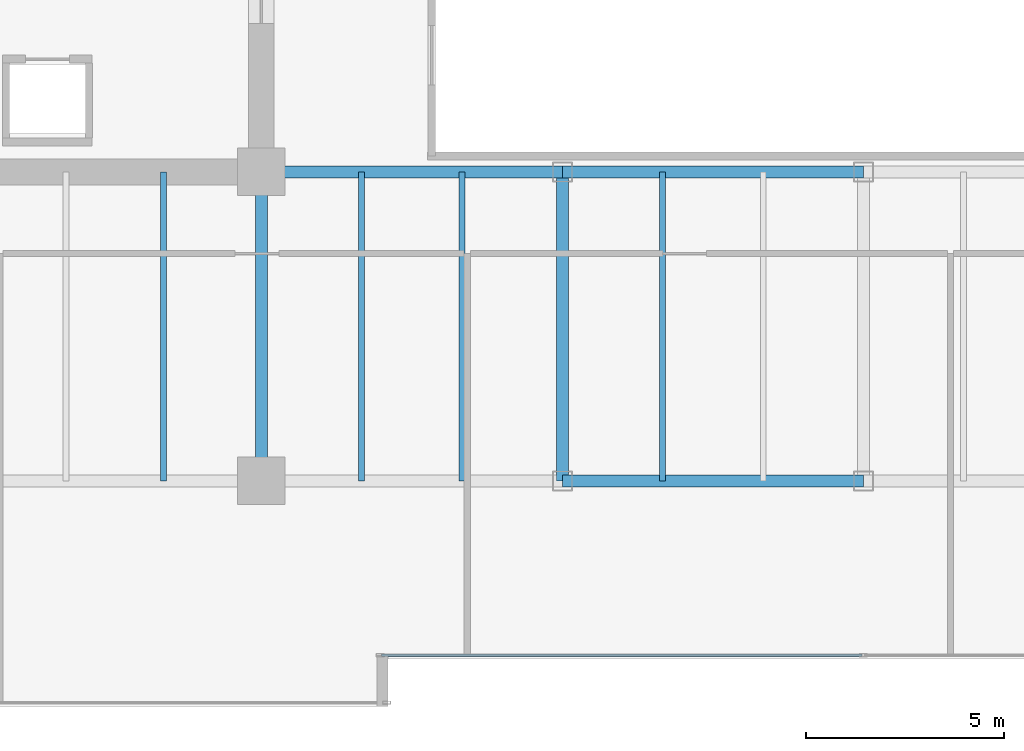
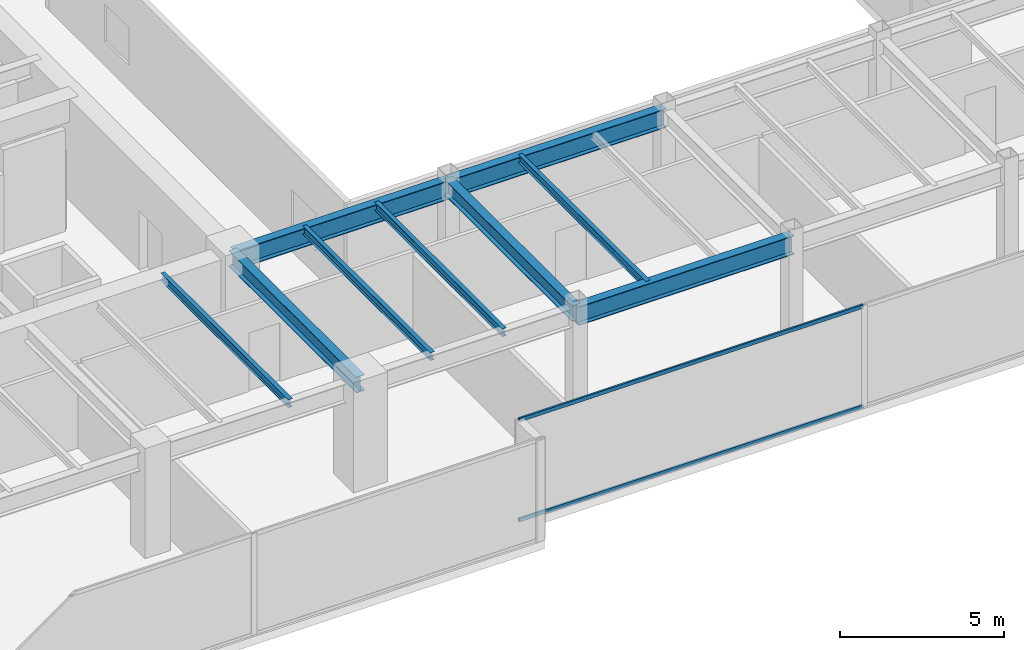
# One storey, part 5 of 30: 9 beams, 2 members, 1 element without a shape of its own.
"""IFC4 building model written with IfcOpenShell, lengths in metres."""

from ifc_helpers import new_model, si_unit, direction, frame, origin, origin_2d, place, context, subcontext, project, spatial, hollow_rectangle, i_section, extrude, source, transform, mapped, material, layer, layer_set, material_profile, profile_set, type_object, type_shapes, element, aggregate, save


model = new_model("IFC4")

# Units and contexts
model_context = context("Model", 3, precision=1e-05, world=origin(), true_north=direction((0.0, 1.0)))
body_context = subcontext(model_context, "Body", "Model", "MODEL_VIEW")
ifc_project = project(units=[si_unit("LENGTHUNIT", "METRE"), si_unit("AREAUNIT", "SQUARE_METRE"), si_unit("VOLUMEUNIT", "CUBIC_METRE"), si_unit("PLANEANGLEUNIT", "RADIAN"), si_unit("MASSUNIT", "GRAM", prefix="KILO")], contexts=[model_context])

# Site, building, storey
site_placement = place(None, origin())
site = spatial("IfcSite", under=ifc_project, at=site_placement, CompositionType="ELEMENT")
building_placement = place(site_placement, origin())
building = spatial("IfcBuilding", under=site, at=building_placement, Name="Haelvirn Gate Laboratories", CompositionType="ELEMENT")
storey_placement = place(building_placement, frame((0.0, 0.0, 183.0)))
storey = spatial("IfcBuildingStorey", under=building, at=storey_placement, Name="L44", CompositionType="ELEMENT", Elevation=183.0)

# Beams
ifc_material_1 = material(Name="Steel SM355", Category="steel")
ifc_material_profile_1 = material_profile(ifc_material_1, i_section(OverallWidth=0.300048828125, OverallDepth=0.699951171875, WebThickness=0.012939453125, FlangeThickness=0.02392578125, at=origin_2d()), Name="H-700x300x13x24")
ifc_profile_set_1 = profile_set([ifc_material_profile_1], Name="Steel SM355")
beam_type_1 = type_object("IfcBeamType", Name="BM-G-700", PredefinedType="BEAM", material=ifc_profile_set_1)
shared_shape_1 = source(origin(), body_context, "Body", "SweptSolid", [
    extrude(i_section(OverallWidth=0.300048828125, OverallDepth=0.699951171875, WebThickness=0.012939453125, FlangeThickness=0.02392578125, at=origin_2d()), origin(), (0.0, 0.0, 1.0), 7.60009765625),
])
beam_placement = place(storey_placement, frame((22.199951171875, 14.800048828125, 3.43994140625), z_axis=(1.0, 0.0, 0.0), x_axis=(0.0, 1.0, 0.0)))
element("IfcBeam", 1, at=beam_placement, inside=storey, type_object=beam_type_1, Name="L44 Primary Girder Y14.8 (22.2-29.8)", PredefinedType="BEAM", context=body_context, shape_type="MappedRepresentation", body=[
    mapped(shared_shape_1, transform((0.0, 0.0, 0.0), scale=1.0)),
])
shared_shape_2 = source(origin(), body_context, "Body", "SweptSolid", [
    extrude(i_section(OverallWidth=0.300048828125, OverallDepth=0.699951171875, WebThickness=0.012939453125, FlangeThickness=0.02392578125, at=origin_2d()), origin(), (0.0, 0.0, 1.0), 7.599853515625),
])
type_shapes(beam_type_1, [shared_shape_1, shared_shape_2])
for number, where, z_axis, x_axis, name in (
    (2, (29.800048828125, 7.0, 3.43994140625), (1.0, 0.0, 0.0), (0.0, 1.0, 0.0), "L44 Primary Girder Y7.0 (29.8-37.4)"),
    (3, (29.800048828125, 14.800048828125, 3.43994140625), (1.0, 0.0, 0.0), (0.0, 1.0, 0.0), "L44 Primary Girder Y14.8 (29.8-37.4)"),
):
    element("IfcBeam", number, at=place(storey_placement, frame(where, z_axis=z_axis, x_axis=x_axis)), inside=storey, type_object=beam_type_1, Name=name, PredefinedType="BEAM", context=body_context, shape_type="MappedRepresentation", body=[
        mapped(shared_shape_2, transform((0.0, 0.0, 0.0), scale=1.0)),
    ])
ifc_material_profile_2 = material_profile(ifc_material_1, i_section(OverallWidth=0.14990234375, OverallDepth=0.300048828125, WebThickness=0.006591796875, FlangeThickness=0.009033203125, at=origin_2d()), Name="H-300x150x6.5x9")
ifc_profile_set_2 = profile_set([ifc_material_profile_2], Name="Steel SM355")
beam_type_2 = type_object("IfcBeamType", Name="BM-J-300", PredefinedType="JOIST", material=ifc_profile_set_2)
shared_shape_3 = source(origin(), body_context, "Body", "SweptSolid", [
    extrude(i_section(OverallWidth=0.14990234375, OverallDepth=0.300048828125, WebThickness=0.006591796875, FlangeThickness=0.009033203125, at=origin_2d()), origin(), (0.0, 0.0, 1.0), 7.800048828125),
])
type_shapes(beam_type_2, [shared_shape_3])
for number, where, z_axis, x_axis, name in (
    (4, (19.72998046875, 7.0, 3.639892578125), (0.0, 1.0, 0.0), (-1.0, 0.0, 0.0), "L44 Composite Lab Joist South X19.73"),
    (5, (24.72998046875, 7.0, 3.639892578125), (0.0, 1.0, 0.0), (-1.0, 0.0, 0.0), "L44 Composite Lab Joist South X24.73"),
    (6, (27.27001953125, 7.0, 3.639892578125), (0.0, 1.0, 0.0), (-1.0, 0.0, 0.0), "L44 Composite Lab Joist South X27.27"),
    (7, (32.330078125, 7.0, 3.639892578125), (0.0, 1.0, 0.0), (-1.0, 0.0, 0.0), "L44 Composite Lab Joist South X32.33"),
):
    element("IfcBeam", number, at=place(storey_placement, frame(where, z_axis=z_axis, x_axis=x_axis)), inside=storey, type_object=beam_type_2, Name=name, PredefinedType="JOIST", context=body_context, shape_type="MappedRepresentation", body=[
        mapped(shared_shape_3, transform((0.0, 0.0, 0.0), scale=1.0)),
    ])
ifc_material_profile_3 = material_profile(ifc_material_1, i_section(OverallWidth=0.300048828125, OverallDepth=0.587890625, WebThickness=0.011962890625, FlangeThickness=0.02001953125, at=origin_2d()), Name="H-588x300x12x20")
ifc_profile_set_3 = profile_set([ifc_material_profile_3], Name="Steel SM355")
beam_type_3 = type_object("IfcBeamType", Name="BM-G-588", PredefinedType="BEAM", material=ifc_profile_set_3)
shared_shape_4 = source(origin(), body_context, "Body", "SweptSolid", [
    extrude(i_section(OverallWidth=0.300048828125, OverallDepth=0.587890625, WebThickness=0.011962890625, FlangeThickness=0.02001953125, at=origin_2d()), origin(), (0.0, 0.0, 1.0), 7.800048828125),
])
type_shapes(beam_type_3, [shared_shape_4])
for number, where, z_axis, x_axis, name in (
    (8, (22.199951171875, 7.0, 3.49609375), (0.0, 1.0, 0.0), (-1.0, 0.0, 0.0), "L44 Frame Girder X22.2 (7.0-14.8)"),
    (9, (29.800048828125, 7.0, 3.49609375), (0.0, 1.0, 0.0), (-1.0, 0.0, 0.0), "L44 Frame Girder X29.8 (7.0-14.8)"),
):
    element("IfcBeam", number, at=place(storey_placement, frame(where, z_axis=z_axis, x_axis=x_axis)), inside=storey, type_object=beam_type_3, Name=name, PredefinedType="BEAM", context=body_context, shape_type="MappedRepresentation", body=[
        mapped(shared_shape_4, transform((0.0, 0.0, 0.0), scale=1.0)),
    ])

# Curtain wall, members
ifc_material_2 = material(Name="Anodised bronze unitised aluminium & triple low-E glass", Category="aluminium")
ifc_layer = layer(ifc_material_2, 0.179931640625, Name="CW-SYS-3")
ifc_layer_set = layer_set([ifc_layer], Name="Anodised bronze unitised aluminium & triple low-E glass")
curtain_wall_type = type_object("IfcCurtainWallType", Name="CW-SYS-3", PredefinedType="NOTDEFINED", material=ifc_layer_set)
curtain_wall_placement = place(storey_placement, origin())
curtain_wall = element("IfcCurtainWall", 10, at=curtain_wall_placement, inside=storey, type_object=curtain_wall_type, Name="L44 Unitised Curtain Wall CW-L44-P0-E02-1", PredefinedType="NOTDEFINED")
ifc_material_3 = material(Name="Extruded aluminium 6063-T6 (anodised bronze)", Category="aluminium")
ifc_material_profile_4 = material_profile(ifc_material_3, hollow_rectangle(XDim=0.06494140625, YDim=0.139892578125, WallThickness=0.00390625, at=origin_2d()), Name="CWT-140x65x4")
ifc_profile_set_4 = profile_set([ifc_material_profile_4], Name="Extruded aluminium 6063-T6 (anodised bronze)")
member_type = type_object("IfcMemberType", Name="CWT-T140", PredefinedType="USERDEFINED", material=ifc_profile_set_4)
shared_shape_5 = source(origin(), body_context, "Body", "SweptSolid", [
    extrude(hollow_rectangle(XDim=0.06494140625, YDim=0.139892578125, WallThickness=0.00390625, at=origin_2d()), origin(), (0.0, 0.0, 1.0), 12.12744140625),
])
type_shapes(member_type, [shared_shape_5])
member_1_placement = place(storey_placement, frame((25.235107421875, 2.60009765625, 0.032470703125), z_axis=(1.0, 0.0, 0.0), x_axis=(0.0, 1.0, 0.0)))
member_1 = element("IfcMember", 11, at=member_1_placement, type_object=member_type, Name="CW3 transom 1.1", ObjectType="TRANSOM", PredefinedType="USERDEFINED", context=body_context, shape_type="MappedRepresentation", body=[
    mapped(shared_shape_5, transform((0.0, 0.0, 0.0), scale=1.0)),
])
member_2_placement = place(storey_placement, frame((25.235107421875, 2.60009765625, 3.757568359375), z_axis=(1.0, 0.0, 0.0), x_axis=(0.0, 1.0, 0.0)))
member_2 = element("IfcMember", 12, at=member_2_placement, type_object=member_type, Name="CW3 transom 1.2", ObjectType="TRANSOM", PredefinedType="USERDEFINED", context=body_context, shape_type="MappedRepresentation", body=[
    mapped(shared_shape_5, transform((0.0, 0.0, 0.0), scale=1.0)),
])
aggregate(curtain_wall, [member_1, member_2])

save(model, "model.ifc")
